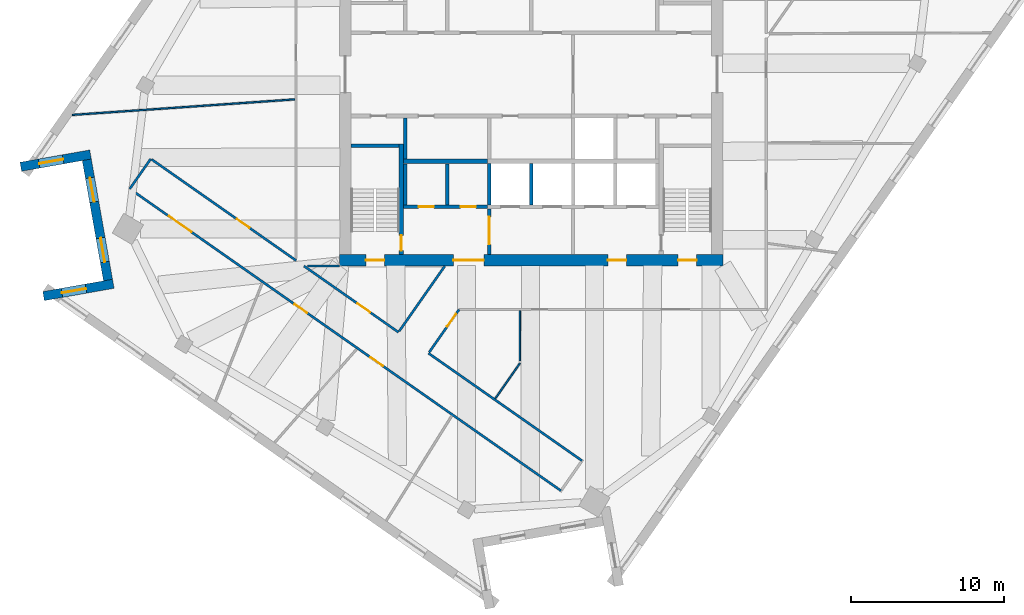
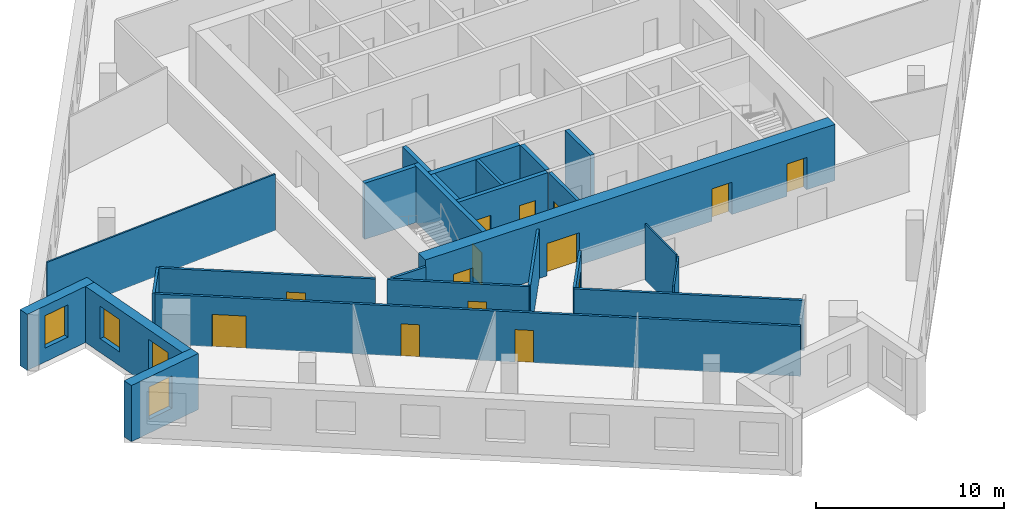
# One storey, part 6 of 13: 25 walls, 14 doors, 4 windows, 18 openings.
"""IFC4 building model written with IfcOpenShell, lengths in metres."""

from ifc_helpers import new_model, si_unit, direction, frame, frame_2d, origin, place, context, subcontext, project, spatial, rectangle, extrude, material, layer, layer_set, type_object, element, fill, save


model = new_model("IFC4")

# Units and contexts
model_context = context("Model", 3, precision=1e-05, world=origin(), true_north=direction((0.0, 1.0)))
body_context = subcontext(model_context, "Body", "Model", "MODEL_VIEW")
ifc_project = project(units=[si_unit("LENGTHUNIT", "METRE"), si_unit("AREAUNIT", "SQUARE_METRE"), si_unit("VOLUMEUNIT", "CUBIC_METRE"), si_unit("PLANEANGLEUNIT", "RADIAN"), si_unit("MASSUNIT", "GRAM", prefix="KILO")], contexts=[model_context])

# Site, building, storey
site_placement = place(None, origin())
site = spatial("IfcSite", under=ifc_project, at=site_placement, CompositionType="ELEMENT")
building_placement = place(site_placement, origin())
building = spatial("IfcBuilding", under=site, at=building_placement, Name="Dilmun Exchange Tower", CompositionType="ELEMENT")
storey_placement = place(building_placement, frame((0.0, 0.0, 250.89990234375)))
storey = spatial("IfcBuildingStorey", under=building, at=storey_placement, Name="L59", CompositionType="ELEMENT", Elevation=250.89990234375)

# Wall, opening, door
ifc_material_1 = material(Name="Concrete C40/50", Category="concrete")
ifc_layer_1 = layer(ifc_material_1, 0.199951171875)
ifc_layer_set_1 = layer_set([ifc_layer_1], Name="Concrete C40/50")
wall_type_1 = type_object("IfcWallType", Name="Core partition wall 200", PredefinedType="PARTITIONING", material=ifc_layer_set_1)
wall_1_placement = place(storey_placement, frame((-2.75, -11.794921875, 0.0), z_axis=(0.0, 0.0, 1.0), x_axis=(0.0, 1.0, 0.0)))
wall_1 = element("IfcWall", 1, at=wall_1_placement, inside=storey, type_object=wall_type_1, Name="L59 core partition wall 01", PredefinedType="PARTITIONING", context=body_context, shape_type="SweptSolid", body=[
    extrude(rectangle(XDim=2.989990234375, YDim=0.199951171875, at=frame_2d((1.4951171875, 0.0))), origin(), (0.0, 0.0, 1.0), 3.64013671875),
])
opening_1_placement = place(wall_1_placement, frame((0.657470703125, 0.0, 0.0)))
opening_1 = element("IfcOpeningElement", 2, at=opening_1_placement, cuts=wall_1, Name="Opening CD5", PredefinedType="OPENING", context=body_context, shape_type="SweptSolid", body=[
    extrude(rectangle(XDim=1.800048828125, YDim=2.10009765625, at=frame_2d((0.89990234375, 1.050048828125))), frame((0.0, 0.10986328125, 0.0), z_axis=(0.0, -1.0, 0.0), x_axis=(1.0, 0.0, 0.0)), (0.0, 0.0, 1.0), 0.219970703125),
])
ifc_material_2 = material(Name="Fire-rated steel door set", Category="steel")
door_type_1 = type_object("IfcDoorType", Name="Stair exit door 1800x2100", OperationType="SINGLE_SWING_LEFT", PredefinedType="DOOR", material=ifc_material_2)
door_1_placement = place(opening_1_placement, origin())
door_1 = element("IfcDoor", 3, at=door_1_placement, inside=storey, type_object=door_type_1, Name="L59 door Service lobby east", OperationType="SINGLE_SWING_LEFT", OverallHeight=2.10009765625, OverallWidth=1.800048828125, PredefinedType="DOOR", context=body_context, shape_type="SweptSolid", body=[
    extrude(rectangle(XDim=1.800048828125, YDim=2.10009765625, at=frame_2d((0.89990234375, 1.050048828125))), frame((0.0, 0.02490234375, 0.0), z_axis=(0.0, -1.0, 0.0), x_axis=(1.0, 0.0, 0.0)), (0.0, 0.0, 1.0), 0.050048828125),
])
fill(opening_1, door_1)

# Wall
wall_2_placement = place(storey_placement, frame((-5.5, -8.544921875, 0.0), z_axis=(0.0, 0.0, 1.0), x_axis=(0.0, 1.0, 0.0)))
element("IfcWall", 4, at=wall_2_placement, inside=storey, type_object=wall_type_1, Name="L59 core partition wall 05", PredefinedType="PARTITIONING", context=body_context, shape_type="SweptSolid", body=[
    extrude(rectangle(XDim=2.68994140625, YDim=0.199951171875, at=frame_2d((1.344970703125, 0.0))), origin(), (0.0, 0.0, 1.0), 3.64013671875),
])

# Wall, openings, doors
ifc_layer_2 = layer(ifc_material_1, 0.25)
ifc_layer_set_2 = layer_set([ifc_layer_2], Name="Concrete C40/50")
wall_type_2 = type_object("IfcWallType", Name="Core partition wall 250", PredefinedType="PARTITIONING", material=ifc_layer_set_2)
wall_3_placement = place(storey_placement, frame((-8.3701171875, -8.675048828125, 0.0), z_axis=(0.0, 0.0, 1.0), x_axis=(1.0, 0.0, 0.0)))
wall_3 = element("IfcWall", 5, at=wall_3_placement, inside=storey, type_object=wall_type_2, Name="L59 core partition wall 03", PredefinedType="PARTITIONING", context=body_context, shape_type="SweptSolid", body=[
    extrude(rectangle(XDim=5.490234375, YDim=0.25, at=frame_2d((2.7451171875, 0.0))), origin(), (0.0, 0.0, 1.0), 3.64013671875),
])
opening_2_placement = place(wall_3_placement, frame((0.9951171875, 0.0, 0.0)))
opening_2 = element("IfcOpeningElement", 6, at=opening_2_placement, cuts=wall_3, Name="Opening CD4", PredefinedType="OPENING", context=body_context, shape_type="SweptSolid", body=[
    extrude(rectangle(XDim=1.0, YDim=2.10009765625, at=frame_2d((0.5, 1.050048828125))), frame((0.0, 0.135009765625, 0.0), z_axis=(0.0, -1.0, 0.0), x_axis=(1.0, 0.0, 0.0)), (0.0, 0.0, 1.0), 0.27001953125),
])
opening_3_placement = place(wall_3_placement, frame((3.7451171875, 0.0, 0.0)))
opening_3 = element("IfcOpeningElement", 7, at=opening_3_placement, cuts=wall_3, Name="Opening CD4", PredefinedType="OPENING", context=body_context, shape_type="SweptSolid", body=[
    extrude(rectangle(XDim=1.0, YDim=2.10009765625, at=frame_2d((0.5, 1.050048828125))), frame((0.0, 0.135009765625, 0.0), z_axis=(0.0, -1.0, 0.0), x_axis=(1.0, 0.0, 0.0)), (0.0, 0.0, 1.0), 0.27001953125),
])
door_type_2 = type_object("IfcDoorType", Name="Core room door 1000x2100", OperationType="SINGLE_SWING_LEFT", PredefinedType="DOOR", material=ifc_material_2)
door_2_placement = place(opening_2_placement, origin())
door_2 = element("IfcDoor", 8, at=door_2_placement, inside=storey, type_object=door_type_2, Name="L59 door Male WC", OperationType="SINGLE_SWING_RIGHT", OverallHeight=2.10009765625, OverallWidth=1.0, PredefinedType="DOOR", context=body_context, shape_type="SweptSolid", body=[
    extrude(rectangle(XDim=1.0, YDim=2.10009765625, at=frame_2d((0.5, 1.050048828125))), frame((0.0, 0.02490234375, 0.0), z_axis=(0.0, -1.0, 0.0), x_axis=(1.0, 0.0, 0.0)), (0.0, 0.0, 1.0), 0.050048828125),
])
fill(opening_2, door_2)
door_3_placement = place(opening_3_placement, origin())
door_3 = element("IfcDoor", 9, at=door_3_placement, inside=storey, type_object=door_type_2, Name="L59 door Female WC", OperationType="SINGLE_SWING_RIGHT", OverallHeight=2.10009765625, OverallWidth=1.0, PredefinedType="DOOR", context=body_context, shape_type="SweptSolid", body=[
    extrude(rectangle(XDim=1.0, YDim=2.10009765625, at=frame_2d((0.5, 1.050048828125))), frame((0.0, 0.02490234375, 0.0), z_axis=(0.0, -1.0, 0.0), x_axis=(1.0, 0.0, 0.0)), (0.0, 0.0, 1.0), 0.050048828125),
])
fill(opening_3, door_3)

# Walls
for number, where, z_axis, x_axis, name in (
    (10, (-8.25, -8.544921875, 0.0), (0.0, 0.0, 1.0), (0.0, 1.0, 0.0), "L59 core partition wall 04"),
    (11, (-8.25, -5.544921875, 0.0), (0.0, 0.0, 1.0), (0.0, 1.0, 0.0), "L59 core partition wall 07"),
):
    element("IfcWall", number, at=place(storey_placement, frame(where, z_axis=z_axis, x_axis=x_axis)), inside=storey, type_object=wall_type_2, Name=name, PredefinedType="PARTITIONING", context=body_context, shape_type="SweptSolid", body=[
        extrude(rectangle(XDim=2.68994140625, YDim=0.25, at=frame_2d((1.344970703125, 0.0))), origin(), (0.0, 0.0, 1.0), 3.64013671875),
    ])
ifc_layer_3 = layer(ifc_material_1, 0.300048828125)
ifc_layer_set_3 = layer_set([ifc_layer_3], Name="Concrete C40/50")
wall_type_3 = type_object("IfcWallType", Name="Core partition wall 300", PredefinedType="PARTITIONING", material=ifc_layer_set_3)
wall_4_placement = place(storey_placement, frame((-8.35009765625, -5.699951171875, 0.0), z_axis=(0.0, 0.0, 1.0), x_axis=(1.0, 0.0, 0.0)))
element("IfcWall", 12, at=wall_4_placement, inside=storey, type_object=wall_type_3, Name="L59 core partition wall 06", PredefinedType="PARTITIONING", context=body_context, shape_type="SweptSolid", body=[
    extrude(rectangle(XDim=5.47021484375, YDim=0.300048828125, at=frame_2d((2.735107421875, 0.0))), origin(), (0.0, 0.0, 1.0), 3.64013671875),
])

# Wall, openings, doors
ifc_material_3 = material(Name="Concrete C50/60", Category="concrete")
ifc_layer_4 = layer(ifc_material_3, 0.75)
ifc_layer_set_4 = layer_set([ifc_layer_4], Name="Concrete C50/60")
wall_type_4 = type_object("IfcWallType", Name="Core shear wall 750 Concrete C50/60", PredefinedType="SHEAR", material=ifc_layer_set_4)
wall_5_placement = place(storey_placement, frame((-12.550048828125, -12.175048828125, 0.0), z_axis=(0.0, 0.0, 1.0), x_axis=(1.0, 0.0, 0.0)))
wall_5 = element("IfcWall", 13, at=wall_5_placement, inside=storey, type_object=wall_type_4, Name="L59 core shear wall S", PredefinedType="SHEAR", context=body_context, shape_type="SweptSolid", body=[
    extrude(rectangle(XDim=25.10009765625, YDim=0.75, at=frame_2d((12.550048828125, 0.0))), origin(), (0.0, 0.0, 1.0), 3.64013671875),
])
opening_4_placement = place(wall_5_placement, frame((7.449951171875, 0.0, 0.0)))
opening_4 = element("IfcOpeningElement", 14, at=opening_4_placement, cuts=wall_5, Name="Opening CD2", PredefinedType="OPENING", context=body_context, shape_type="SweptSolid", body=[
    extrude(rectangle(XDim=2.0, YDim=2.10009765625, at=frame_2d((1.0, 1.050048828125))), frame((0.0, 0.385009765625, 0.0), z_axis=(0.0, -1.0, 0.0), x_axis=(1.0, 0.0, 0.0)), (0.0, 0.0, 1.0), 0.77001953125),
])
opening_5_placement = place(wall_5_placement, frame((17.574951171875, 0.0, 0.0)))
opening_5 = element("IfcOpeningElement", 15, at=opening_5_placement, cuts=wall_5, Name="Opening CD3", PredefinedType="OPENING", context=body_context, shape_type="SweptSolid", body=[
    extrude(rectangle(XDim=1.199951171875, YDim=2.10009765625, at=frame_2d((0.60009765625, 1.050048828125))), frame((0.0, 0.385009765625, 0.0), z_axis=(0.0, -1.0, 0.0), x_axis=(1.0, 0.0, 0.0)), (0.0, 0.0, 1.0), 0.77001953125),
])
opening_6_placement = place(wall_5_placement, frame((1.72509765625, 0.0, 0.0)))
opening_6 = element("IfcOpeningElement", 16, at=opening_6_placement, cuts=wall_5, Name="Opening CD3", PredefinedType="OPENING", context=body_context, shape_type="SweptSolid", body=[
    extrude(rectangle(XDim=1.199951171875, YDim=2.10009765625, at=frame_2d((0.60009765625, 1.050048828125))), frame((0.0, 0.385009765625, 0.0), z_axis=(0.0, -1.0, 0.0), x_axis=(1.0, 0.0, 0.0)), (0.0, 0.0, 1.0), 0.77001953125),
])
opening_7_placement = place(wall_5_placement, frame((22.175048828125, 0.0, 0.0)))
opening_7 = element("IfcOpeningElement", 17, at=opening_7_placement, cuts=wall_5, Name="Opening CD3", PredefinedType="OPENING", context=body_context, shape_type="SweptSolid", body=[
    extrude(rectangle(XDim=1.199951171875, YDim=2.10009765625, at=frame_2d((0.60009765625, 1.050048828125))), frame((0.0, 0.385009765625, 0.0), z_axis=(0.0, -1.0, 0.0), x_axis=(1.0, 0.0, 0.0)), (0.0, 0.0, 1.0), 0.77001953125),
])
door_type_3 = type_object("IfcDoorType", Name="Core service door 2000x2100", OperationType="DOUBLE_DOOR_DOUBLE_SWING", PredefinedType="DOOR", material=ifc_material_2)
door_4_placement = place(opening_4_placement, origin())
door_4 = element("IfcDoor", 18, at=door_4_placement, inside=storey, type_object=door_type_3, Name="L59 door South service lobby", OperationType="SINGLE_SWING_LEFT", OverallHeight=2.10009765625, OverallWidth=2.0, PredefinedType="DOOR", context=body_context, shape_type="SweptSolid", body=[
    extrude(rectangle(XDim=2.0, YDim=2.10009765625, at=frame_2d((1.0, 1.050048828125))), frame((0.0, 0.02490234375, 0.0), z_axis=(0.0, -1.0, 0.0), x_axis=(1.0, 0.0, 0.0)), (0.0, 0.0, 1.0), 0.050048828125),
])
fill(opening_4, door_4)
door_type_4 = type_object("IfcDoorType", Name="Stair exit door 1200x2100", OperationType="SINGLE_SWING_LEFT", PredefinedType="DOOR", material=ifc_material_2)
door_5_placement = place(opening_5_placement, origin())
door_5 = element("IfcDoor", 19, at=door_5_placement, inside=storey, type_object=door_type_4, Name="L59 door Fire-fighting lobby", OperationType="SINGLE_SWING_LEFT", OverallHeight=2.10009765625, OverallWidth=1.199951171875, PredefinedType="DOOR", context=body_context, shape_type="SweptSolid", body=[
    extrude(rectangle(XDim=1.199951171875, YDim=2.10009765625, at=frame_2d((0.60009765625, 1.050048828125))), frame((0.0, 0.02490234375, 0.0), z_axis=(0.0, -1.0, 0.0), x_axis=(1.0, 0.0, 0.0)), (0.0, 0.0, 1.0), 0.050048828125),
])
fill(opening_5, door_5)
door_6_placement = place(opening_6_placement, origin())
door_6 = element("IfcDoor", 20, at=door_6_placement, inside=storey, type_object=door_type_4, Name="L59 door Stair ST2", OperationType="SINGLE_SWING_LEFT", OverallHeight=2.10009765625, OverallWidth=1.199951171875, PredefinedType="DOOR", context=body_context, shape_type="SweptSolid", body=[
    extrude(rectangle(XDim=1.199951171875, YDim=2.10009765625, at=frame_2d((0.60009765625, 1.050048828125))), frame((0.0, 0.02490234375, 0.0), z_axis=(0.0, -1.0, 0.0), x_axis=(1.0, 0.0, 0.0)), (0.0, 0.0, 1.0), 0.050048828125),
])
fill(opening_6, door_6)
door_7_placement = place(opening_7_placement, origin())
door_7 = element("IfcDoor", 21, at=door_7_placement, inside=storey, type_object=door_type_4, Name="L59 door Stair ST3", OperationType="SINGLE_SWING_LEFT", OverallHeight=2.10009765625, OverallWidth=1.199951171875, PredefinedType="DOOR", context=body_context, shape_type="SweptSolid", body=[
    extrude(rectangle(XDim=1.199951171875, YDim=2.10009765625, at=frame_2d((0.60009765625, 1.050048828125))), frame((0.0, 0.02490234375, 0.0), z_axis=(0.0, -1.0, 0.0), x_axis=(1.0, 0.0, 0.0)), (0.0, 0.0, 1.0), 0.050048828125),
])
fill(opening_7, door_7)

# Wall
ifc_material_4 = material(Name="Corridor wall 150")
ifc_layer_5 = layer(ifc_material_4, 0.14990234375)
ifc_layer_set_5 = layer_set([ifc_layer_5], Name="Corridor wall 150")
wall_type_5 = type_object("IfcWallType", Name="Corridor wall 150", PredefinedType="PARTITIONING", material=ifc_layer_set_5)
wall_6_placement = place(storey_placement, frame((-26.2919921875, -7.493896484375, 0.0), z_axis=(0.0, 0.0, 1.0), x_axis=(0.573708088123, 0.819059844958, 0.0)))
element("IfcWall", 22, at=wall_6_placement, inside=storey, type_object=wall_type_5, Name="Corridor wall", PredefinedType="PARTITIONING", context=body_context, shape_type="SweptSolid", body=[
    extrude(rectangle(XDim=2.400146484375, YDim=0.14990234375, at=frame_2d((1.2001953125, 0.0))), origin(), (0.0, 0.0, 1.0), 3.239990234375),
])

# Wall, openings, doors
wall_7_placement = place(storey_placement, frame((-26.230712890625, -7.537109375, 0.0), z_axis=(0.0, 0.0, 1.0), x_axis=(0.819166569978, -0.573555690959, 0.0)))
wall_7 = element("IfcWall", 23, at=wall_7_placement, inside=storey, type_object=wall_type_5, Name="Corridor wall", PredefinedType="PARTITIONING", context=body_context, shape_type="SweptSolid", body=[
    extrude(rectangle(XDim=34.40283203125, YDim=0.14990234375, at=frame_2d((17.201416015625, 0.0))), origin(), (0.0, 0.0, 1.0), 3.239990234375),
])
opening_8_placement = place(wall_7_placement, frame((3.050048828125, 0.0, 0.0)))
opening_8 = element("IfcOpeningElement", 24, at=opening_8_placement, cuts=wall_7, Name="Opening TF57-D01", PredefinedType="OPENING", context=body_context, shape_type="SweptSolid", body=[
    extrude(rectangle(XDim=1.800048828125, YDim=2.10009765625, at=frame_2d((0.89990234375, 1.050048828125))), frame((0.0, 0.0849609375, 0.0), z_axis=(0.0, -1.0, 0.0), x_axis=(1.0, 0.0, 0.0)), (0.0, 0.0, 1.0), 0.169921875),
])
opening_9_placement = place(wall_7_placement, frame((13.102783203125, 0.0, 0.0)))
opening_9 = element("IfcOpeningElement", 25, at=opening_9_placement, cuts=wall_7, Name="Opening TF57-D04", PredefinedType="OPENING", context=body_context, shape_type="SweptSolid", body=[
    extrude(rectangle(XDim=1.0, YDim=2.10009765625, at=frame_2d((0.5, 1.050048828125))), frame((0.0, 0.0849609375, 0.0), z_axis=(0.0, -1.0, 0.0), x_axis=(1.0, 0.0, 0.0)), (0.0, 0.0, 1.0), 0.169921875),
])
opening_10_placement = place(wall_7_placement, frame((19.17333984375, 0.0, 0.0)))
opening_10 = element("IfcOpeningElement", 26, at=opening_10_placement, cuts=wall_7, Name="Opening TF57-D05", PredefinedType="OPENING", context=body_context, shape_type="SweptSolid", body=[
    extrude(rectangle(XDim=1.0, YDim=2.10009765625, at=frame_2d((0.5, 1.050048828125))), frame((0.0, 0.0849609375, 0.0), z_axis=(0.0, -1.0, 0.0), x_axis=(1.0, 0.0, 0.0)), (0.0, 0.0, 1.0), 0.169921875),
])
ifc_material_5 = material(Name="Fire door 1000 x 2100")
door_type_5 = type_object("IfcDoorType", Name="Fire door 1000 x 2100", OperationType="NOTDEFINED", PredefinedType="DOOR", material=ifc_material_5)
door_8_placement = place(opening_9_placement, frame((1.0, 0.0, 0.0), z_axis=(0.0, 0.0, 1.0), x_axis=(-1.0, 0.0, 0.0)))
door_8 = element("IfcDoor", 27, at=door_8_placement, inside=storey, type_object=door_type_5, Name="Door TF57-D04", OperationType="SINGLE_SWING_LEFT", OverallHeight=2.10009765625, OverallWidth=1.0, PredefinedType="DOOR", context=body_context, shape_type="SweptSolid", body=[
    extrude(rectangle(XDim=1.0, YDim=2.10009765625, at=frame_2d((0.5, 1.050048828125))), frame((0.0, 0.02490234375, 0.0), z_axis=(0.0, -1.0, 0.0), x_axis=(1.0, 0.0, 0.0)), (0.0, 0.0, 1.0), 0.050048828125),
])
fill(opening_9, door_8)
door_9_placement = place(opening_10_placement, frame((1.0, 0.0, 0.0), z_axis=(0.0, 0.0, 1.0), x_axis=(-1.0, 0.0, 0.0)))
door_9 = element("IfcDoor", 28, at=door_9_placement, inside=storey, type_object=door_type_5, Name="Door TF57-D05", OperationType="SINGLE_SWING_RIGHT", OverallHeight=2.10009765625, OverallWidth=1.0, PredefinedType="DOOR", context=body_context, shape_type="SweptSolid", body=[
    extrude(rectangle(XDim=1.0, YDim=2.10009765625, at=frame_2d((0.5, 1.050048828125))), frame((0.0, 0.02490234375, 0.0), z_axis=(0.0, -1.0, 0.0), x_axis=(1.0, 0.0, 0.0)), (0.0, 0.0, 1.0), 0.050048828125),
])
fill(opening_10, door_9)
ifc_material_6 = material(Name="Fire door pair 1800 x 2100")
door_type_6 = type_object("IfcDoorType", Name="Fire door pair 1800 x 2100", OperationType="NOTDEFINED", PredefinedType="DOOR", material=ifc_material_6)
door_10_placement = place(opening_8_placement, frame((1.800048828125, 0.0, 0.0), z_axis=(0.0, 0.0, 1.0), x_axis=(-1.0, 0.0, 0.0)))
door_10 = element("IfcDoor", 29, at=door_10_placement, inside=storey, type_object=door_type_6, Name="Door TF57-D01", OperationType="DOUBLE_DOOR_SINGLE_SWING", OverallHeight=2.10009765625, OverallWidth=1.800048828125, PredefinedType="DOOR", context=body_context, shape_type="SweptSolid", body=[
    extrude(rectangle(XDim=1.800048828125, YDim=2.10009765625, at=frame_2d((0.89990234375, 1.050048828125))), frame((0.0, 0.02490234375, 0.0), z_axis=(0.0, -1.0, 0.0), x_axis=(1.0, 0.0, 0.0)), (0.0, 0.0, 1.0), 0.050048828125),
])
fill(opening_8, door_10)

# Wall, opening, door
wall_8_placement = place(storey_placement, frame((-24.853515625, -5.571044921875, 0.0), z_axis=(0.0, 0.0, 1.0), x_axis=(0.819176259714, -0.573541851586, 0.0)))
wall_8 = element("IfcWall", 30, at=wall_8_placement, inside=storey, type_object=wall_type_5, Name="Corridor wall", PredefinedType="PARTITIONING", context=body_context, shape_type="SweptSolid", body=[
    extrude(rectangle(XDim=11.540283203125, YDim=0.14990234375, at=frame_2d((5.77001953125, 0.0))), origin(), (0.0, 0.0, 1.0), 3.239990234375),
])
opening_11_placement = place(wall_8_placement, frame((6.800048828125, 0.0, 0.0)))
opening_11 = element("IfcOpeningElement", 31, at=opening_11_placement, cuts=wall_8, Name="Opening TF57-D02", PredefinedType="OPENING", context=body_context, shape_type="SweptSolid", body=[
    extrude(rectangle(XDim=1.0, YDim=2.10009765625, at=frame_2d((0.5, 1.050048828125))), frame((0.0, 0.0849609375, 0.0), z_axis=(0.0, -1.0, 0.0), x_axis=(1.0, 0.0, 0.0)), (0.0, 0.0, 1.0), 0.169921875),
])
door_11_placement = place(opening_11_placement, origin())
door_11 = element("IfcDoor", 32, at=door_11_placement, inside=storey, type_object=door_type_5, Name="Door TF57-D02", OperationType="SINGLE_SWING_RIGHT", OverallHeight=2.10009765625, OverallWidth=1.0, PredefinedType="DOOR", context=body_context, shape_type="SweptSolid", body=[
    extrude(rectangle(XDim=1.0, YDim=2.10009765625, at=frame_2d((0.5, 1.050048828125))), frame((0.0, 0.02490234375, 0.0), z_axis=(0.0, -1.0, 0.0), x_axis=(1.0, 0.0, 0.0)), (0.0, 0.0, 1.0), 0.050048828125),
])
fill(opening_11, door_11)

wall_9_placement = place(storey_placement, frame((-14.885986328125, -12.550048828125, 0.0), z_axis=(0.0, 0.0, 1.0), x_axis=(0.819131763787, -0.57360539882, 0.0)))
wall_9 = element("IfcWall", 33, at=wall_9_placement, inside=storey, type_object=wall_type_5, Name="Corridor wall", PredefinedType="PARTITIONING", context=body_context, shape_type="SweptSolid", body=[
    extrude(rectangle(XDim=7.55908203125, YDim=0.14990234375, at=frame_2d((3.779541015625, 0.0))), origin(), (0.0, 0.0, 1.0), 3.239990234375),
])
opening_12_placement = place(wall_9_placement, frame((4.300048828125, 0.0, 0.0)))
opening_12 = element("IfcOpeningElement", 34, at=opening_12_placement, cuts=wall_9, Name="Opening TF57-D06", PredefinedType="OPENING", context=body_context, shape_type="SweptSolid", body=[
    extrude(rectangle(XDim=1.0, YDim=2.10009765625, at=frame_2d((0.5, 1.050048828125))), frame((0.0, 0.0849609375, 0.0), z_axis=(0.0, -1.0, 0.0), x_axis=(1.0, 0.0, 0.0)), (0.0, 0.0, 1.0), 0.169921875),
])
door_12_placement = place(opening_12_placement, origin())
door_12 = element("IfcDoor", 35, at=door_12_placement, inside=storey, type_object=door_type_5, Name="Door TF57-D06", OperationType="SINGLE_SWING_LEFT", OverallHeight=2.10009765625, OverallWidth=1.0, PredefinedType="DOOR", context=body_context, shape_type="SweptSolid", body=[
    extrude(rectangle(XDim=1.0, YDim=2.10009765625, at=frame_2d((0.5, 1.050048828125))), frame((0.0, 0.02490234375, 0.0), z_axis=(0.0, -1.0, 0.0), x_axis=(1.0, 0.0, 0.0)), (0.0, 0.0, 1.0), 0.050048828125),
])
fill(opening_12, door_12)

# Walls
wall_10_placement = place(storey_placement, frame((-14.648193359375, -12.550048828125, 0.0), z_axis=(0.0, 0.0, 1.0), x_axis=(1.0, 0.0, 0.0)))
element("IfcWall", 36, at=wall_10_placement, inside=storey, type_object=wall_type_5, Name="Corridor wall", PredefinedType="PARTITIONING", context=body_context, shape_type="SweptSolid", body=[
    extrude(rectangle(XDim=2.09814453125, YDim=0.14990234375, at=frame_2d((1.049072265625, 0.0))), origin(), (0.0, 0.0, 1.0), 3.239990234375),
])
wall_11_placement = place(storey_placement, frame((-8.65087890625, -16.82470703125, 0.0), z_axis=(0.0, 0.0, 1.0), x_axis=(0.57354712093, 0.819172570386, 0.0)))
element("IfcWall", 37, at=wall_11_placement, inside=storey, type_object=wall_type_5, Name="Corridor wall", PredefinedType="PARTITIONING", context=body_context, shape_type="SweptSolid", body=[
    extrude(rectangle(XDim=5.21826171875, YDim=0.14990234375, at=frame_2d((2.609130859375, 0.0))), origin(), (0.0, 0.0, 1.0), 3.239990234375),
])
wall_12_placement = place(storey_placement, frame((-6.72802734375, -18.262939453125, 0.0), z_axis=(0.0, 0.0, 1.0), x_axis=(0.819171177891, -0.573549109765, 0.0)))
element("IfcWall", 38, at=wall_12_placement, inside=storey, type_object=wall_type_5, Name="Corridor wall", PredefinedType="PARTITIONING", context=body_context, shape_type="SweptSolid", body=[
    extrude(rectangle(XDim=12.2744140625, YDim=0.14990234375, at=frame_2d((6.13720703125, 0.0))), origin(), (0.0, 0.0, 1.0), 3.239990234375),
])

# Wall, opening, door
wall_13_placement = place(storey_placement, frame((-6.68505859375, -18.201416015625, 0.0), z_axis=(0.0, 0.0, 1.0), x_axis=(0.573438386326, 0.819248690623, 0.0)))
wall_13 = element("IfcWall", 39, at=wall_13_placement, inside=storey, type_object=wall_type_5, Name="Corridor wall", PredefinedType="PARTITIONING", context=body_context, shape_type="SweptSolid", body=[
    extrude(rectangle(XDim=3.419677734375, YDim=0.14990234375, at=frame_2d((1.7099609375, 0.0))), origin(), (0.0, 0.0, 1.0), 3.239990234375),
])
opening_13_placement = place(wall_13_placement, frame((2.050048828125, 0.0, 0.0)))
opening_13 = element("IfcOpeningElement", 40, at=opening_13_placement, cuts=wall_13, Name="Opening TF57-D09", PredefinedType="OPENING", context=body_context, shape_type="SweptSolid", body=[
    extrude(rectangle(XDim=1.0, YDim=2.10009765625, at=frame_2d((0.5, 1.050048828125))), frame((0.0, 0.0849609375, 0.0), z_axis=(0.0, -1.0, 0.0), x_axis=(1.0, 0.0, 0.0)), (0.0, 0.0, 1.0), 0.169921875),
])
door_13_placement = place(opening_13_placement, frame((1.0, 0.0, 0.0), z_axis=(0.0, 0.0, 1.0), x_axis=(-1.0, 0.0, 0.0)))
door_13 = element("IfcDoor", 41, at=door_13_placement, inside=storey, type_object=door_type_5, Name="Door TF57-D09", OperationType="SINGLE_SWING_LEFT", OverallHeight=2.10009765625, OverallWidth=1.0, PredefinedType="DOOR", context=body_context, shape_type="SweptSolid", body=[
    extrude(rectangle(XDim=1.0, YDim=2.10009765625, at=frame_2d((0.5, 1.050048828125))), frame((0.0, 0.02490234375, 0.0), z_axis=(0.0, -1.0, 0.0), x_axis=(1.0, 0.0, 0.0)), (0.0, 0.0, 1.0), 0.050048828125),
])
fill(opening_13, door_13)

# Walls
ifc_layer_6 = layer(ifc_material_1, 0.25)
ifc_layer_set_6 = layer_set([ifc_layer_6], Name="Concrete C40/50")
wall_type_6 = type_object("IfcWallType", Name="Lift shaft wall 250", PredefinedType="SOLIDWALL", material=ifc_layer_set_6)
for number, where, z_axis, x_axis, name in (
    (42, (-2.75, -8.550048828125, 0.0), (0.0, 0.0, 1.0), (0.0, 1.0, 0.0), "L59 lift shaft divider S22"),
    (43, (0.0, -8.550048828125, 0.0), (0.0, 0.0, 1.0), (0.0, 1.0, 0.0), "L59 lift shaft divider S23"),
):
    element("IfcWall", number, at=place(storey_placement, frame(where, z_axis=z_axis, x_axis=x_axis)), inside=storey, type_object=wall_type_6, Name=name, PredefinedType="SOLIDWALL", context=body_context, shape_type="SweptSolid", body=[
        extrude(rectangle(XDim=2.699951171875, YDim=0.25, at=frame_2d((1.35009765625, 0.0))), origin(), (0.0, 0.0, 1.0), 3.64013671875),
    ])
ifc_material_7 = material(Name="Partition 100")
ifc_layer_7 = layer(ifc_material_7, 0.10009765625)
ifc_layer_set_7 = layer_set([ifc_layer_7], Name="Partition 100")
wall_type_7 = type_object("IfcWallType", Name="Partition 100", PredefinedType="PARTITIONING", material=ifc_layer_set_7)
wall_14_placement = place(storey_placement, frame((-30.05712890625, -2.656005859375, 0.0), z_axis=(0.0, 0.0, 1.0), x_axis=(0.99756824466, 0.069696465096, 0.0)))
element("IfcWall", 44, at=wall_14_placement, inside=storey, type_object=wall_type_7, Name="Partition", PredefinedType="PARTITIONING", context=body_context, shape_type="SweptSolid", body=[
    extrude(rectangle(XDim=14.6142578125, YDim=0.10009765625, at=frame_2d((7.30712890625, 0.0))), origin(), (0.0, 0.0, 1.0), 3.64013671875),
])
wall_15_placement = place(storey_placement, frame((-2.35888671875, -21.230712890625, 0.0), z_axis=(0.0, 0.0, 1.0), x_axis=(0.573549469352, 0.819170926123, 0.0)))
element("IfcWall", 45, at=wall_15_placement, inside=storey, type_object=wall_type_7, Name="Partition", PredefinedType="PARTITIONING", context=body_context, shape_type="SweptSolid", body=[
    extrude(rectangle(XDim=2.82080078125, YDim=0.10009765625, at=frame_2d((1.410400390625, 0.0))), origin(), (0.0, 0.0, 1.0), 3.64013671875),
])
wall_16_placement = place(storey_placement, frame((-0.740966796875, -18.761474609375, 0.0), z_axis=(0.0, 0.0, 1.0), x_axis=(0.0, 1.0, 0.0)))
element("IfcWall", 46, at=wall_16_placement, inside=storey, type_object=wall_type_7, Name="Partition", PredefinedType="PARTITIONING", context=body_context, shape_type="SweptSolid", body=[
    extrude(rectangle(XDim=3.286376953125, YDim=0.10009765625, at=frame_2d((1.64306640625, 0.0))), origin(), (0.0, 0.0, 1.0), 3.64013671875),
])

# Wall, opening, window
ifc_material_8 = material(Name="Precast concrete C50/60", Category="concrete")
ifc_layer_8 = layer(ifc_material_8, 0.60009765625)
ifc_layer_set_8 = layer_set([ifc_layer_8], Name="Precast concrete C50/60")
wall_type_8 = type_object("IfcWallType", Name="Precast stone-clad wall 600", PredefinedType="STANDARD", material=ifc_layer_set_8)
wall_17_placement = place(storey_placement, frame((-33.4287109375, -6.051513671875, 0.0), z_axis=(0.0, 0.0, 1.0), x_axis=(0.984808997794, 0.173641118013, 0.0)))
wall_17 = element("IfcWall", 47, at=wall_17_placement, inside=storey, type_object=wall_type_8, Name="Facade wall L59-04", PredefinedType="STANDARD", context=body_context, shape_type="SweptSolid", body=[
    extrude(rectangle(XDim=4.635498046875, YDim=0.60009765625, at=frame_2d((2.31787109375, 0.0))), origin(), (0.0, 0.0, 1.0), 3.64013671875),
])
opening_14_placement = place(wall_17_placement, frame((1.2177734375, 0.0, 0.89990234375)))
opening_14 = element("IfcOpeningElement", 48, at=opening_14_placement, cuts=wall_17, Name="Opening W160-210", PredefinedType="OPENING", context=body_context, shape_type="SweptSolid", body=[
    extrude(rectangle(XDim=1.60009765625, YDim=2.10009765625, at=frame_2d((0.800048828125, 1.050048828125))), frame((0.0, 0.31005859375, 0.0), z_axis=(0.0, -1.0, 0.0), x_axis=(1.0, 0.0, 0.0)), (0.0, 0.0, 1.0), 0.6201171875),
])
ifc_material_9 = material(Name="Clear low-emissivity glass in aluminium frame", Category="aluminium")
window_type = type_object("IfcWindowType", Name="Punched window 1600 x 2100", PartitioningType="DOUBLE_PANEL_VERTICAL", PredefinedType="WINDOW", material=ifc_material_9)
window_1_placement = place(opening_14_placement, origin())
window_1 = element("IfcWindow", 49, at=window_1_placement, inside=storey, type_object=window_type, Name="Window 5.1", OverallHeight=2.10009765625, OverallWidth=1.60009765625, PartitioningType="SINGLE_PANEL", PredefinedType="WINDOW", context=body_context, shape_type="SweptSolid", body=[
    extrude(rectangle(XDim=1.60009765625, YDim=2.10009765625, at=frame_2d((0.800048828125, 1.050048828125))), frame((0.0, 0.030029296875, 0.0), z_axis=(0.0, -1.0, 0.0), x_axis=(1.0, 0.0, 0.0)), (0.0, 0.0, 1.0), 0.06005859375),
])
fill(opening_14, window_1)

# Wall, openings, windows
wall_18_placement = place(storey_placement, frame((-29.10693359375, -5.593994140625, 0.0), z_axis=(0.0, 0.0, 1.0), x_axis=(0.173640837858, -0.98480904719, 0.0)))
wall_18 = element("IfcWall", 50, at=wall_18_placement, inside=storey, type_object=wall_type_8, Name="Facade wall L59-05", PredefinedType="STANDARD", context=body_context, shape_type="SweptSolid", body=[
    extrude(rectangle(XDim=8.000244140625, YDim=0.60009765625, at=frame_2d((4.0, 0.0))), origin(), (0.0, 0.0, 1.0), 3.64013671875),
])
opening_15_placement = place(wall_18_placement, frame((1.199951171875, 0.0, 0.89990234375)))
opening_15 = element("IfcOpeningElement", 51, at=opening_15_placement, cuts=wall_18, Name="Opening W160-210", PredefinedType="OPENING", context=body_context, shape_type="SweptSolid", body=[
    extrude(rectangle(XDim=1.60009765625, YDim=2.10009765625, at=frame_2d((0.800048828125, 1.050048828125))), frame((0.0, 0.31005859375, 0.0), z_axis=(0.0, -1.0, 0.0), x_axis=(1.0, 0.0, 0.0)), (0.0, 0.0, 1.0), 0.6201171875),
])
opening_16_placement = place(wall_18_placement, frame((5.199951171875, 0.0, 0.89990234375)))
opening_16 = element("IfcOpeningElement", 52, at=opening_16_placement, cuts=wall_18, Name="Opening W160-210", PredefinedType="OPENING", context=body_context, shape_type="SweptSolid", body=[
    extrude(rectangle(XDim=1.60009765625, YDim=2.10009765625, at=frame_2d((0.800048828125, 1.050048828125))), frame((0.0, 0.31005859375, 0.0), z_axis=(0.0, -1.0, 0.0), x_axis=(1.0, 0.0, 0.0)), (0.0, 0.0, 1.0), 0.6201171875),
])
window_2_placement = place(opening_15_placement, origin())
window_2 = element("IfcWindow", 53, at=window_2_placement, inside=storey, type_object=window_type, Name="Window 6.1", OverallHeight=2.10009765625, OverallWidth=1.60009765625, PartitioningType="SINGLE_PANEL", PredefinedType="WINDOW", context=body_context, shape_type="SweptSolid", body=[
    extrude(rectangle(XDim=1.60009765625, YDim=2.10009765625, at=frame_2d((0.800048828125, 1.050048828125))), frame((0.0, 0.030029296875, 0.0), z_axis=(0.0, -1.0, 0.0), x_axis=(1.0, 0.0, 0.0)), (0.0, 0.0, 1.0), 0.06005859375),
])
fill(opening_15, window_2)
window_3_placement = place(opening_16_placement, origin())
window_3 = element("IfcWindow", 54, at=window_3_placement, inside=storey, type_object=window_type, Name="Window 6.2", OverallHeight=2.10009765625, OverallWidth=1.60009765625, PartitioningType="SINGLE_PANEL", PredefinedType="WINDOW", context=body_context, shape_type="SweptSolid", body=[
    extrude(rectangle(XDim=1.60009765625, YDim=2.10009765625, at=frame_2d((0.800048828125, 1.050048828125))), frame((0.0, 0.030029296875, 0.0), z_axis=(0.0, -1.0, 0.0), x_axis=(1.0, 0.0, 0.0)), (0.0, 0.0, 1.0), 0.06005859375),
])
fill(opening_16, window_3)

# Wall, opening, window
wall_19_placement = place(storey_placement, frame((-27.3701171875, -13.7158203125, 0.0), z_axis=(0.0, 0.0, 1.0), x_axis=(-0.984799990421, -0.173692195754, 0.0)))
wall_19 = element("IfcWall", 55, at=wall_19_placement, inside=storey, type_object=wall_type_8, Name="Facade wall L59-06", PredefinedType="STANDARD", context=body_context, shape_type="SweptSolid", body=[
    extrude(rectangle(XDim=4.6357421875, YDim=0.60009765625, at=frame_2d((2.31787109375, 0.0))), origin(), (0.0, 0.0, 1.0), 3.64013671875),
])
opening_17_placement = place(wall_19_placement, frame((1.81787109375, 0.0, 0.89990234375)))
opening_17 = element("IfcOpeningElement", 56, at=opening_17_placement, cuts=wall_19, Name="Opening W160-210", PredefinedType="OPENING", context=body_context, shape_type="SweptSolid", body=[
    extrude(rectangle(XDim=1.60009765625, YDim=2.10009765625, at=frame_2d((0.800048828125, 1.050048828125))), frame((0.0, 0.31005859375, 0.0), z_axis=(0.0, -1.0, 0.0), x_axis=(1.0, 0.0, 0.0)), (0.0, 0.0, 1.0), 0.6201171875),
])
window_4_placement = place(opening_17_placement, origin())
window_4 = element("IfcWindow", 57, at=window_4_placement, inside=storey, type_object=window_type, Name="Window 7.1", OverallHeight=2.10009765625, OverallWidth=1.60009765625, PartitioningType="SINGLE_PANEL", PredefinedType="WINDOW", context=body_context, shape_type="SweptSolid", body=[
    extrude(rectangle(XDim=1.60009765625, YDim=2.10009765625, at=frame_2d((0.800048828125, 1.050048828125))), frame((0.0, 0.030029296875, 0.0), z_axis=(0.0, -1.0, 0.0), x_axis=(1.0, 0.0, 0.0)), (0.0, 0.0, 1.0), 0.06005859375),
])
fill(opening_17, window_4)

# Wall
ifc_layer_9 = layer(ifc_material_1, 0.25)
ifc_layer_set_9 = layer_set([ifc_layer_9], Name="Concrete C40/50")
wall_type_9 = type_object("IfcWallType", Name="Stair end wall 250", PredefinedType="SOLIDWALL", material=ifc_layer_set_9)
wall_20_placement = place(storey_placement, frame((-8.64990234375, -4.675048828125, 0.0), z_axis=(0.0, 0.0, 1.0), x_axis=(-1.0, 0.0, 0.0)))
element("IfcWall", 58, at=wall_20_placement, inside=storey, type_object=wall_type_9, Name="L59 ST2 far wall", PredefinedType="SOLIDWALL", context=body_context, shape_type="SweptSolid", body=[
    extrude(rectangle(XDim=3.150146484375, YDim=0.25, at=frame_2d((1.5751953125, 0.0))), origin(), (0.0, 0.0, 1.0), 3.64013671875),
])

# Wall, opening, door
ifc_layer_10 = layer(ifc_material_1, 0.27490234375)
ifc_layer_set_10 = layer_set([ifc_layer_10], Name="Concrete C40/50")
wall_type_10 = type_object("IfcWallType", Name="Stair wall 275", PredefinedType="SOLIDWALL", material=ifc_layer_set_10)
wall_21_placement = place(storey_placement, frame((-8.512451171875, -4.550048828125, 0.0), z_axis=(0.0, 0.0, 1.0), x_axis=(0.0, -1.0, 0.0)))
wall_21 = element("IfcWall", 59, at=wall_21_placement, inside=storey, type_object=wall_type_10, Name="L59 ST2 wall to lift block", PredefinedType="SOLIDWALL", context=body_context, shape_type="SweptSolid", body=[
    extrude(rectangle(XDim=7.25, YDim=0.27490234375, at=frame_2d((3.625, 0.0))), origin(), (0.0, 0.0, 1.0), 3.64013671875),
])
opening_18_placement = place(wall_21_placement, frame((6.0, 0.0, 0.0)))
opening_18 = element("IfcOpeningElement", 60, at=opening_18_placement, cuts=wall_21, Name="Opening CD4", PredefinedType="OPENING", context=body_context, shape_type="SweptSolid", body=[
    extrude(rectangle(XDim=1.0, YDim=2.10009765625, at=frame_2d((0.5, 1.050048828125))), frame((0.0, 0.1474609375, 0.0), z_axis=(0.0, -1.0, 0.0), x_axis=(1.0, 0.0, 0.0)), (0.0, 0.0, 1.0), 0.294921875),
])
door_14_placement = place(opening_18_placement, origin())
door_14 = element("IfcDoor", 61, at=door_14_placement, inside=storey, type_object=door_type_2, Name="L59 door ST2 from lobby", OperationType="SINGLE_SWING_LEFT", OverallHeight=2.10009765625, OverallWidth=1.0, PredefinedType="DOOR", context=body_context, shape_type="SweptSolid", body=[
    extrude(rectangle(XDim=1.0, YDim=2.10009765625, at=frame_2d((0.5, 1.050048828125))), frame((0.0, 0.02490234375, 0.0), z_axis=(0.0, -1.0, 0.0), x_axis=(1.0, 0.0, 0.0)), (0.0, 0.0, 1.0), 0.050048828125),
])
fill(opening_18, door_14)

save(model, "model.ifc")
